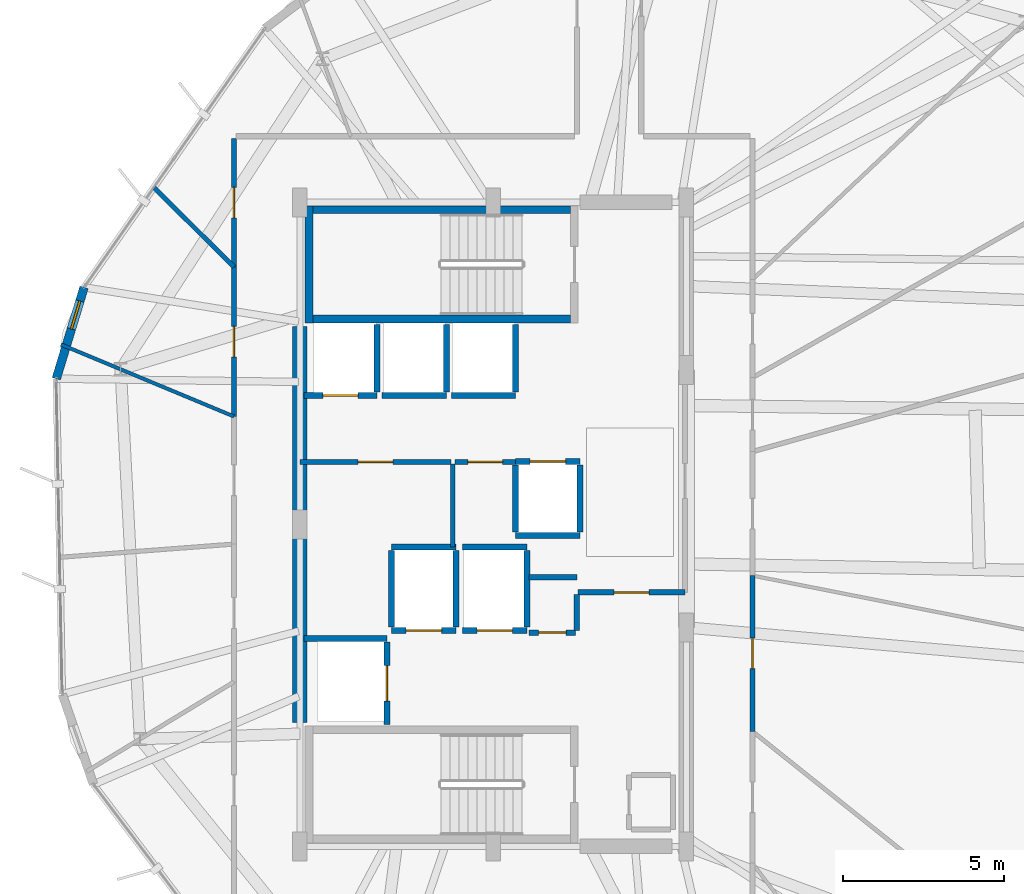
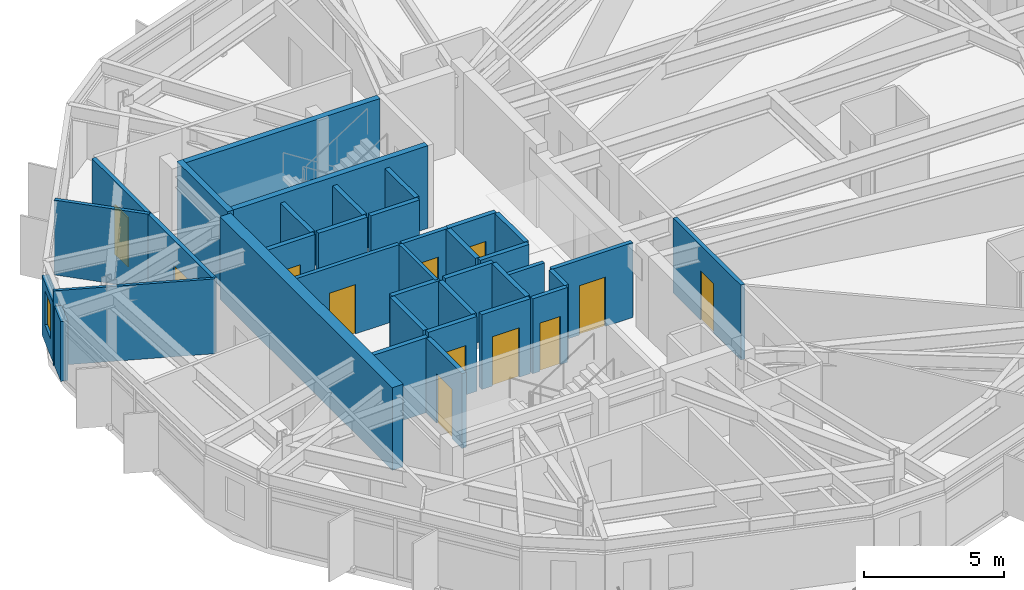
# One storey, part 29 of 34: 36 walls, 12 doors, 1 window, 13 openings.
"""IFC4 building model written with IfcOpenShell, lengths in metres."""

from ifc_helpers import new_model, si_unit, direction, frame, frame_2d, origin, place, context, subcontext, project, spatial, rectangle, extrude, material, layer, layer_set, type_object, element, fill, save


model = new_model("IFC4")

# Units and contexts
model_context = context("Model", 3, precision=1e-05, world=origin(), true_north=direction((0.0, 1.0)))
body_context = subcontext(model_context, "Body", "Model", "MODEL_VIEW")
ifc_project = project(units=[si_unit("LENGTHUNIT", "METRE"), si_unit("AREAUNIT", "SQUARE_METRE"), si_unit("VOLUMEUNIT", "CUBIC_METRE"), si_unit("PLANEANGLEUNIT", "RADIAN"), si_unit("MASSUNIT", "GRAM", prefix="KILO")], contexts=[model_context])

# Site, building, storey
site_placement = place(None, origin())
site = spatial("IfcSite", under=ifc_project, at=site_placement, CompositionType="ELEMENT")
building_placement = place(site_placement, origin())
building = spatial("IfcBuilding", under=site, at=building_placement, Name="Soratama Intermodal Tower", CompositionType="ELEMENT")
storey_placement = place(building_placement, frame((0.0, 0.0, 233.800048828125)))
storey = spatial("IfcBuildingStorey", under=building, at=storey_placement, Name="L59", CompositionType="ELEMENT", Elevation=233.800048828125)

# Wall, opening, window
ifc_material_1 = material(Name="Concrete f'c 42 MPa", Category="concrete")
ifc_layer_1 = layer(ifc_material_1, 0.27001953125)
ifc_layer_set_1 = layer_set([ifc_layer_1], Name="Concrete f'c 42 MPa")
wall_type_1 = type_object("IfcWallType", Name="EW-CRN-270", PredefinedType="SOLIDWALL", material=ifc_layer_set_1)
wall_1_placement = place(storey_placement, frame((25.8974609375, 32.361572265625, 0.0), z_axis=(0.0, 0.0, 1.0), x_axis=(-0.290984782506, -0.956727681396, 0.0)))
wall_1 = element("IfcWall", 1, at=wall_1_placement, inside=storey, type_object=wall_type_1, Name="L59 Corner Closure Wall 03", PredefinedType="SOLIDWALL", context=body_context, shape_type="SweptSolid", body=[
    extrude(rectangle(XDim=2.966796875, YDim=0.27001953125, at=frame_2d((1.4833984375, 0.0))), origin(), (0.0, 0.0, 1.0), 2.598876953125),
])
opening_1_placement = place(wall_1_placement, frame((0.449951171875, 0.0, 0.75)))
opening_1 = element("IfcOpeningElement", 2, at=opening_1_placement, cuts=wall_1, Name="Opening WN-6", PredefinedType="OPENING", context=body_context, shape_type="SweptSolid", body=[
    extrude(rectangle(XDim=0.89990234375, YDim=1.5, at=frame_2d((0.449951171875, 0.75))), frame((0.0, 0.14501953125, 0.0), z_axis=(0.0, -1.0, 0.0), x_axis=(1.0, 0.0, 0.0)), (0.0, 0.0, 1.0), 0.2900390625),
])
ifc_material_2 = material(Name="Double-glazed aluminium window", Category="aluminium")
window_type = type_object("IfcWindowType", Name="WN-FAC-900", PartitioningType="SINGLE_PANEL", PredefinedType="WINDOW", material=ifc_material_2)
window_placement = place(opening_1_placement, origin())
window = element("IfcWindow", 3, at=window_placement, inside=storey, type_object=window_type, Name="L59 Corner Window 03", OverallHeight=1.5, OverallWidth=0.89990234375, PartitioningType="SINGLE_PANEL", PredefinedType="WINDOW", context=body_context, shape_type="SweptSolid", body=[
    extrude(rectangle(XDim=0.89990234375, YDim=1.5, at=frame_2d((0.449951171875, 0.75))), frame((0.0, 0.030029296875, 0.0), z_axis=(0.0, -1.0, 0.0), x_axis=(1.0, 0.0, 0.0)), (0.0, 0.0, 1.0), 0.06005859375),
])
fill(opening_1, window)

# Wall, opening, door
ifc_material_3 = material(Name="Fire-rated gypsum stud partition", Category="concrete")
ifc_layer_2 = layer(ifc_material_3, 0.159912109375)
ifc_layer_set_2 = layer_set([ifc_layer_2], Name="Fire-rated gypsum stud partition")
wall_type_2 = type_object("IfcWallType", Name="IW-PART-R160", PredefinedType="PARTITIONING", material=ifc_layer_set_2)
wall_2_placement = place(storey_placement, frame((46.64990234375, 23.409912109375, 0.0), z_axis=(0.0, 0.0, 1.0), x_axis=(0.0, -1.0, 0.0)))
wall_2 = element("IfcWall", 4, at=wall_2_placement, inside=storey, type_object=wall_type_2, Name="L59 Partition W-L59-TP020", PredefinedType="PARTITIONING", context=body_context, shape_type="SweptSolid", body=[
    extrude(rectangle(XDim=4.8369140625, YDim=0.159912109375, at=frame_2d((2.41845703125, 0.0))), origin(), (0.0, 0.0, 1.0), 3.260009765625),
])
opening_2_placement = place(wall_2_placement, frame((1.943115234375, 0.0, 0.0)))
opening_2 = element("IfcOpeningElement", 5, at=opening_2_placement, cuts=wall_2, Name="Opening ID-3", PredefinedType="OPENING", context=body_context, shape_type="SweptSolid", body=[
    extrude(rectangle(XDim=0.949951171875, YDim=2.14990234375, at=frame_2d((0.47509765625, 1.074951171875))), frame((0.0, 0.08984375, 0.0), z_axis=(0.0, -1.0, 0.0), x_axis=(1.0, 0.0, 0.0)), (0.0, 0.0, 1.0), 0.179931640625),
])
ifc_material_4 = material(Name="Solid hardwood acoustic door", Category="wood")
door_type_1 = type_object("IfcDoorType", Name="DR-ROOM-950", OperationType="NOTDEFINED", PredefinedType="DOOR", material=ifc_material_4)
door_1_placement = place(opening_2_placement, origin())
door_1 = element("IfcDoor", 6, at=door_1_placement, inside=storey, type_object=door_type_1, Name="L59 Door D-L59-TP007", OperationType="SINGLE_SWING_RIGHT", OverallHeight=2.14990234375, OverallWidth=0.949951171875, PredefinedType="DOOR", context=body_context, shape_type="SweptSolid", body=[
    extrude(rectangle(XDim=0.949951171875, YDim=2.14990234375, at=frame_2d((0.47509765625, 1.074951171875))), frame((0.0, 0.02490234375, 0.0), z_axis=(0.0, -1.0, 0.0), x_axis=(1.0, 0.0, 0.0)), (0.0, 0.0, 1.0), 0.050048828125),
])
fill(opening_2, door_1)

wall_3_placement = place(storey_placement, frame((37.2900390625, 26.93994140625, 0.0), z_axis=(0.0, 0.0, 1.0), x_axis=(-1.0, 0.0, 0.0)))
wall_3 = element("IfcWall", 7, at=wall_3_placement, inside=storey, type_object=wall_type_2, Name="L59 Partition W-L59-TP022", PredefinedType="PARTITIONING", context=body_context, shape_type="SweptSolid", body=[
    extrude(rectangle(XDim=4.68994140625, YDim=0.159912109375, at=frame_2d((2.344970703125, 0.0))), origin(), (0.0, 0.0, 1.0), 3.260009765625),
])
opening_3_placement = place(wall_3_placement, frame((1.804931640625, 0.0, 0.0)))
opening_3 = element("IfcOpeningElement", 8, at=opening_3_placement, cuts=wall_3, Name="Opening ID-1", PredefinedType="OPENING", context=body_context, shape_type="SweptSolid", body=[
    extrude(rectangle(XDim=1.080078125, YDim=2.14990234375, at=frame_2d((0.5400390625, 1.074951171875))), frame((0.0, 0.08984375, 0.0), z_axis=(0.0, -1.0, 0.0), x_axis=(1.0, 0.0, 0.0)), (0.0, 0.0, 1.0), 0.179931640625),
])
ifc_material_5 = material(Name="Solid hardwood acoustic door", Category="wood")
door_type_2 = type_object("IfcDoorType", Name="DR-LOB-FD60", OperationType="NOTDEFINED", PredefinedType="DOOR", material=ifc_material_5)
door_2_placement = place(opening_3_placement, origin())
door_2 = element("IfcDoor", 9, at=door_2_placement, inside=storey, type_object=door_type_2, Name="L59 Door D-L59-TP008", OperationType="SINGLE_SWING_LEFT", OverallHeight=2.14990234375, OverallWidth=1.080078125, PredefinedType="DOOR", context=body_context, shape_type="SweptSolid", body=[
    extrude(rectangle(XDim=1.080078125, YDim=2.14990234375, at=frame_2d((0.5400390625, 1.074951171875))), frame((0.0, 0.02490234375, 0.0), z_axis=(0.0, -1.0, 0.0), x_axis=(1.0, 0.0, 0.0)), (0.0, 0.0, 1.0), 0.050048828125),
])
fill(opening_3, door_2)

wall_4_placement = place(storey_placement, frame((30.550048828125, 28.35107421875, 0.0), z_axis=(0.0, 0.0, 1.0), x_axis=(0.0, 1.0, 0.0)))
wall_4 = element("IfcWall", 10, at=wall_4_placement, inside=storey, type_object=wall_type_2, Name="L59 Partition W-L59-TP023", PredefinedType="PARTITIONING", context=body_context, shape_type="SweptSolid", body=[
    extrude(rectangle(XDim=4.64501953125, YDim=0.159912109375, at=frame_2d((2.322509765625, 0.0))), origin(), (0.0, 0.0, 1.0), 3.260009765625),
])
opening_4_placement = place(wall_4_placement, frame((1.847900390625, 0.0, 0.0)))
opening_4 = element("IfcOpeningElement", 11, at=opening_4_placement, cuts=wall_4, Name="Opening ID-3", PredefinedType="OPENING", context=body_context, shape_type="SweptSolid", body=[
    extrude(rectangle(XDim=0.949951171875, YDim=2.14990234375, at=frame_2d((0.47509765625, 1.074951171875))), frame((0.0, 0.08984375, 0.0), z_axis=(0.0, -1.0, 0.0), x_axis=(1.0, 0.0, 0.0)), (0.0, 0.0, 1.0), 0.179931640625),
])
door_3_placement = place(opening_4_placement, origin())
door_3 = element("IfcDoor", 12, at=door_3_placement, inside=storey, type_object=door_type_1, Name="L59 Door D-L59-TP009", OperationType="SINGLE_SWING_RIGHT", OverallHeight=2.14990234375, OverallWidth=0.949951171875, PredefinedType="DOOR", context=body_context, shape_type="SweptSolid", body=[
    extrude(rectangle(XDim=0.949951171875, YDim=2.14990234375, at=frame_2d((0.47509765625, 1.074951171875))), frame((0.0, 0.02490234375, 0.0), z_axis=(0.0, -1.0, 0.0), x_axis=(1.0, 0.0, 0.0)), (0.0, 0.0, 1.0), 0.050048828125),
])
fill(opening_4, door_3)

wall_5_placement = place(storey_placement, frame((30.550048828125, 32.99609375, 0.0), z_axis=(0.0, 0.0, 1.0), x_axis=(0.0, 1.0, 0.0)))
wall_5 = element("IfcWall", 13, at=wall_5_placement, inside=storey, type_object=wall_type_2, Name="L59 Partition W-L59-TP027", PredefinedType="PARTITIONING", context=body_context, shape_type="SweptSolid", body=[
    extrude(rectangle(XDim=3.98388671875, YDim=0.159912109375, at=frame_2d((1.991943359375, 0.0))), origin(), (0.0, 0.0, 1.0), 3.260009765625),
])
opening_5_placement = place(wall_5_placement, frame((1.51708984375, 0.0, 0.0)))
opening_5 = element("IfcOpeningElement", 14, at=opening_5_placement, cuts=wall_5, Name="Opening ID-3", PredefinedType="OPENING", context=body_context, shape_type="SweptSolid", body=[
    extrude(rectangle(XDim=0.949951171875, YDim=2.14990234375, at=frame_2d((0.47509765625, 1.074951171875))), frame((0.0, 0.08984375, 0.0), z_axis=(0.0, -1.0, 0.0), x_axis=(1.0, 0.0, 0.0)), (0.0, 0.0, 1.0), 0.179931640625),
])
door_4_placement = place(opening_5_placement, origin())
door_4 = element("IfcDoor", 15, at=door_4_placement, inside=storey, type_object=door_type_1, Name="L59 Door D-L59-TP012", OperationType="SINGLE_SWING_LEFT", OverallHeight=2.14990234375, OverallWidth=0.949951171875, PredefinedType="DOOR", context=body_context, shape_type="SweptSolid", body=[
    extrude(rectangle(XDim=0.949951171875, YDim=2.14990234375, at=frame_2d((0.47509765625, 1.074951171875))), frame((0.0, 0.02490234375, 0.0), z_axis=(0.0, -1.0, 0.0), x_axis=(1.0, 0.0, 0.0)), (0.0, 0.0, 1.0), 0.050048828125),
])
fill(opening_5, door_4)

wall_6_placement = place(storey_placement, frame((39.300048828125, 26.93994140625, 0.0), z_axis=(0.0, 0.0, 1.0), x_axis=(-1.0, 0.0, 0.0)))
wall_6 = element("IfcWall", 16, at=wall_6_placement, inside=storey, type_object=wall_type_2, Name="L59 Partition W-L59-TP047", PredefinedType="PARTITIONING", context=body_context, shape_type="SweptSolid", body=[
    extrude(rectangle(XDim=1.89013671875, YDim=0.159912109375, at=frame_2d((0.945068359375, 0.0))), origin(), (0.0, 0.0, 1.0), 3.260009765625),
])
opening_6_placement = place(wall_6_placement, frame((0.405029296875, 0.0, 0.0)))
opening_6 = element("IfcOpeningElement", 17, at=opening_6_placement, cuts=wall_6, Name="Opening ID-1", PredefinedType="OPENING", context=body_context, shape_type="SweptSolid", body=[
    extrude(rectangle(XDim=1.080078125, YDim=2.14990234375, at=frame_2d((0.5400390625, 1.074951171875))), frame((0.0, 0.08984375, 0.0), z_axis=(0.0, -1.0, 0.0), x_axis=(1.0, 0.0, 0.0)), (0.0, 0.0, 1.0), 0.179931640625),
])
door_5_placement = place(opening_6_placement, origin())
door_5 = element("IfcDoor", 18, at=door_5_placement, inside=storey, type_object=door_type_2, Name="L59 Door D-L59-TP022", OperationType="SINGLE_SWING_LEFT", OverallHeight=2.14990234375, OverallWidth=1.080078125, PredefinedType="DOOR", context=body_context, shape_type="SweptSolid", body=[
    extrude(rectangle(XDim=1.080078125, YDim=2.14990234375, at=frame_2d((0.5400390625, 1.074951171875))), frame((0.0, 0.02490234375, 0.0), z_axis=(0.0, -1.0, 0.0), x_axis=(1.0, 0.0, 0.0)), (0.0, 0.0, 1.0), 0.050048828125),
])
fill(opening_6, door_5)

# Wall
wall_7_placement = place(storey_placement, frame((41.199951171875, 23.360107421875, 0.0), z_axis=(0.0, 0.0, 1.0), x_axis=(-1.0, 0.0, 0.0)))
element("IfcWall", 19, at=wall_7_placement, inside=storey, type_object=wall_type_2, Name="L59 Partition W-L59-TP054", PredefinedType="PARTITIONING", context=body_context, shape_type="SweptSolid", body=[
    extrude(rectangle(XDim=1.47998046875, YDim=0.159912109375, at=frame_2d((0.739990234375, 0.0))), origin(), (0.0, 0.0, 1.0), 3.260009765625),
])

# Wall, opening, door
ifc_material_6 = material(Name="Fire-rated gypsum stud partition", Category="concrete")
ifc_layer_3 = layer(ifc_material_6, 0.169921875)
ifc_layer_set_3 = layer_set([ifc_layer_3], Name="Fire-rated gypsum stud partition")
wall_type_3 = type_object("IfcWallType", Name="IW-PART-R170", PredefinedType="PARTITIONING", material=ifc_layer_set_3)
wall_8_placement = place(storey_placement, frame((41.239990234375, 22.889892578125, 0.0), z_axis=(0.0, 0.0, 1.0), x_axis=(1.0, 0.0, 0.0)))
wall_8 = element("IfcWall", 20, at=wall_8_placement, inside=storey, type_object=wall_type_3, Name="L59 Partition W-L59-TP033", PredefinedType="PARTITIONING", context=body_context, shape_type="SweptSolid", body=[
    extrude(rectangle(XDim=3.320068359375, YDim=0.169921875, at=frame_2d((1.66015625, 0.0))), origin(), (0.0, 0.0, 1.0), 3.260009765625),
])
opening_7_placement = place(wall_8_placement, frame((1.1201171875, 0.0, 0.0)))
opening_7 = element("IfcOpeningElement", 21, at=opening_7_placement, cuts=wall_8, Name="Opening ID-0", PredefinedType="OPENING", context=body_context, shape_type="SweptSolid", body=[
    extrude(rectangle(XDim=1.080078125, YDim=2.14990234375, at=frame_2d((0.5400390625, 1.074951171875))), frame((0.0, 0.094970703125, 0.0), z_axis=(0.0, -1.0, 0.0), x_axis=(1.0, 0.0, 0.0)), (0.0, 0.0, 1.0), 0.18994140625),
])
ifc_material_7 = material(Name="Solid hardwood acoustic door", Category="wood")
door_type_3 = type_object("IfcDoorType", Name="DR-LOB-FD90", OperationType="NOTDEFINED", PredefinedType="DOOR", material=ifc_material_7)
door_6_placement = place(opening_7_placement, origin())
door_6 = element("IfcDoor", 22, at=door_6_placement, inside=storey, type_object=door_type_3, Name="L59 Door D-L59-TP016", OperationType="SINGLE_SWING_LEFT", OverallHeight=2.14990234375, OverallWidth=1.080078125, PredefinedType="DOOR", context=body_context, shape_type="SweptSolid", body=[
    extrude(rectangle(XDim=1.080078125, YDim=2.14990234375, at=frame_2d((0.5400390625, 1.074951171875))), frame((0.0, 0.02490234375, 0.0), z_axis=(0.0, -1.0, 0.0), x_axis=(1.0, 0.0, 0.0)), (0.0, 0.0, 1.0), 0.050048828125),
])
fill(opening_7, door_6)

wall_9_placement = place(storey_placement, frame((39.719970703125, 21.639892578125, 0.0), z_axis=(0.0, 0.0, 1.0), x_axis=(1.0, 0.0, 0.0)))
wall_9 = element("IfcWall", 23, at=wall_9_placement, inside=storey, type_object=wall_type_3, Name="L59 Partition W-L59-TP050", PredefinedType="PARTITIONING", context=body_context, shape_type="SweptSolid", body=[
    extrude(rectangle(XDim=1.43994140625, YDim=0.169921875, at=frame_2d((0.719970703125, 0.0))), origin(), (0.0, 0.0, 1.0), 3.260009765625),
])
opening_8_placement = place(wall_9_placement, frame((0.294921875, 0.0, 0.0)))
opening_8 = element("IfcOpeningElement", 24, at=opening_8_placement, cuts=wall_9, Name="Opening ID-4", PredefinedType="OPENING", context=body_context, shape_type="SweptSolid", body=[
    extrude(rectangle(XDim=0.85009765625, YDim=2.10009765625, at=frame_2d((0.425048828125, 1.050048828125))), frame((0.0, 0.094970703125, 0.0), z_axis=(0.0, -1.0, 0.0), x_axis=(1.0, 0.0, 0.0)), (0.0, 0.0, 1.0), 0.18994140625),
])
ifc_material_8 = material(Name="Solid hardwood acoustic door", Category="wood")
door_type_4 = type_object("IfcDoorType", Name="DR-BATH-850", OperationType="NOTDEFINED", PredefinedType="DOOR", material=ifc_material_8)
door_7_placement = place(opening_8_placement, origin())
door_7 = element("IfcDoor", 25, at=door_7_placement, inside=storey, type_object=door_type_4, Name="L59 Door D-L59-TP023", OperationType="SINGLE_SWING_RIGHT", OverallHeight=2.10009765625, OverallWidth=0.85009765625, PredefinedType="DOOR", context=body_context, shape_type="SweptSolid", body=[
    extrude(rectangle(XDim=0.85009765625, YDim=2.10009765625, at=frame_2d((0.425048828125, 1.050048828125))), frame((0.0, 0.02490234375, 0.0), z_axis=(0.0, -1.0, 0.0), x_axis=(1.0, 0.0, 0.0)), (0.0, 0.0, 1.0), 0.050048828125),
])
fill(opening_8, door_7)

# Walls
wall_10_placement = place(storey_placement, frame((41.199951171875, 21.699951171875, 0.0), z_axis=(0.0, 0.0, 1.0), x_axis=(0.0, 1.0, 0.0)))
element("IfcWall", 26, at=wall_10_placement, inside=storey, type_object=wall_type_3, Name="L59 Partition W-L59-TP052", PredefinedType="PARTITIONING", context=body_context, shape_type="SweptSolid", body=[
    extrude(rectangle(XDim=1.1201171875, YDim=0.169921875, at=frame_2d((0.56005859375, 0.0))), origin(), (0.0, 0.0, 1.0), 3.260009765625),
])
ifc_material_9 = material(Name="Fire-rated gypsum stud partition", Category="concrete")
ifc_layer_4 = layer(ifc_material_9, 0.110107421875)
ifc_layer_set_4 = layer_set([ifc_layer_4], Name="Fire-rated gypsum stud partition")
wall_type_4 = type_object("IfcWallType", Name="IW-PART-S110", PredefinedType="PARTITIONING", material=ifc_layer_set_4)
wall_11_placement = place(storey_placement, frame((30.550048828125, 28.35107421875, 0.0), z_axis=(0.0, 0.0, 1.0), x_axis=(-0.923250747002, 0.38419794138, 0.0)))
element("IfcWall", 27, at=wall_11_placement, inside=storey, type_object=wall_type_4, Name="L59 Partition W-L59-TP015", PredefinedType="PARTITIONING", context=body_context, shape_type="SweptSolid", body=[
    extrude(rectangle(XDim=5.814453125, YDim=0.110107421875, at=frame_2d((2.9072265625, 0.0))), origin(), (0.0, 0.0, 1.0), 3.260009765625),
])
ifc_material_10 = material(Name="Fire-rated gypsum stud partition", Category="concrete")
ifc_layer_5 = layer(ifc_material_10, 0.139892578125)
ifc_layer_set_5 = layer_set([ifc_layer_5], Name="Fire-rated gypsum stud partition")
wall_type_5 = type_object("IfcWallType", Name="IW-PART-S140", PredefinedType="PARTITIONING", material=ifc_layer_set_5)
wall_12_placement = place(storey_placement, frame((30.550048828125, 32.99609375, 0.0), z_axis=(0.0, 0.0, 1.0), x_axis=(-0.709819036823, 0.704384081992, 0.0)))
element("IfcWall", 28, at=wall_12_placement, inside=storey, type_object=wall_type_5, Name="L59 Partition W-L59-TP032", PredefinedType="PARTITIONING", context=body_context, shape_type="SweptSolid", body=[
    extrude(rectangle(XDim=3.50390625, YDim=0.139892578125, at=frame_2d((1.751953125, 0.0))), origin(), (0.0, 0.0, 1.0), 3.260009765625),
])
wall_13_placement = place(storey_placement, frame((37.35009765625, 26.8798828125, 0.0), z_axis=(0.0, 0.0, 1.0), x_axis=(0.0, -1.0, 0.0)))
element("IfcWall", 29, at=wall_13_placement, inside=storey, type_object=wall_type_5, Name="L59 Partition W-L59-TP037", PredefinedType="PARTITIONING", context=body_context, shape_type="SweptSolid", body=[
    extrude(rectangle(XDim=2.579833984375, YDim=0.139892578125, at=frame_2d((1.2900390625, 0.0))), origin(), (0.0, 0.0, 1.0), 3.260009765625),
])

# Wall, opening, door
ifc_material_11 = material(Name="Concrete f'c 42 MPa", Category="concrete")
ifc_layer_6 = layer(ifc_material_11, 0.18505859375)
ifc_layer_set_6 = layer_set([ifc_layer_6], Name="Concrete f'c 42 MPa")
wall_type_6 = type_object("IfcWallType", Name="IW-SHAFT-185", PredefinedType="SOLIDWALL", material=ifc_layer_set_6)
wall_14_placement = place(storey_placement, frame((35.449951171875, 21.699951171875, 0.0), z_axis=(0.0, 0.0, 1.0), x_axis=(1.0, 0.0, 0.0)))
wall_14 = element("IfcWall", 30, at=wall_14_placement, inside=storey, type_object=wall_type_6, Name="L59 FFL-1 Hoistway Wall S", PredefinedType="SOLIDWALL", context=body_context, shape_type="SweptSolid", body=[
    extrude(rectangle(XDim=2.0, YDim=0.18505859375, at=frame_2d((1.0, 0.0))), origin(), (0.0, 0.0, 1.0), 3.260009765625),
])
opening_9_placement = place(wall_14_placement, frame((0.449951171875, 0.0, 0.0)))
opening_9 = element("IfcOpeningElement", 31, at=opening_9_placement, cuts=wall_14, Name="Opening LD-1", PredefinedType="OPENING", context=body_context, shape_type="SweptSolid", body=[
    extrude(rectangle(XDim=1.10009765625, YDim=2.14990234375, at=frame_2d((0.550048828125, 1.074951171875))), frame((0.0, 0.1025390625, 0.0), z_axis=(0.0, -1.0, 0.0), x_axis=(1.0, 0.0, 0.0)), (0.0, 0.0, 1.0), 0.205078125),
])
ifc_material_12 = material(Name="Steel fire door", Category="steel")
door_type_5 = type_object("IfcDoorType", Name="DR-LIFT-SLIDE", OperationType="NOTDEFINED", PredefinedType="DOOR", material=ifc_material_12)
door_8_placement = place(opening_9_placement, origin())
door_8 = element("IfcDoor", 32, at=door_8_placement, inside=storey, type_object=door_type_5, Name="L59 FFL-1 Sliding Landing Door", OperationType="SLIDING_TO_LEFT", OverallHeight=2.14990234375, OverallWidth=1.10009765625, PredefinedType="DOOR", context=body_context, shape_type="SweptSolid", body=[
    extrude(rectangle(XDim=1.10009765625, YDim=2.14990234375, at=frame_2d((0.550048828125, 1.074951171875))), frame((0.0, 0.02490234375, 0.0), z_axis=(0.0, -1.0, 0.0), x_axis=(1.0, 0.0, 0.0)), (0.0, 0.0, 1.0), 0.050048828125),
])
fill(opening_9, door_8)

# Walls
wall_15_placement = place(storey_placement, frame((35.449951171875, 24.300048828125, 0.0), z_axis=(0.0, 0.0, 1.0), x_axis=(1.0, 0.0, 0.0)))
element("IfcWall", 33, at=wall_15_placement, inside=storey, type_object=wall_type_6, Name="L59 FFL-1 Hoistway Wall N", PredefinedType="SOLIDWALL", context=body_context, shape_type="SweptSolid", body=[
    extrude(rectangle(XDim=2.0, YDim=0.18505859375, at=frame_2d((1.0, 0.0))), origin(), (0.0, 0.0, 1.0), 3.260009765625),
])
for number, where, z_axis, x_axis, name in (
    (34, (35.449951171875, 21.81005859375, 0.0), (0.0, 0.0, 1.0), (0.0, 1.0, 0.0), "L59 FFL-1 Hoistway Wall W"),
    (35, (37.449951171875, 21.81005859375, 0.0), (0.0, 0.0, 1.0), (0.0, 1.0, 0.0), "L59 FFL-1 Hoistway Wall E"),
):
    element("IfcWall", number, at=place(storey_placement, frame(where, z_axis=z_axis, x_axis=x_axis)), inside=storey, type_object=wall_type_6, Name=name, PredefinedType="SOLIDWALL", context=body_context, shape_type="SweptSolid", body=[
        extrude(rectangle(XDim=2.3798828125, YDim=0.18505859375, at=frame_2d((1.18994140625, 0.0))), origin(), (0.0, 0.0, 1.0), 3.260009765625),
    ])

# Wall, opening, door
wall_16_placement = place(storey_placement, frame((37.64990234375, 21.699951171875, 0.0), z_axis=(0.0, 0.0, 1.0), x_axis=(1.0, 0.0, 0.0)))
wall_16 = element("IfcWall", 36, at=wall_16_placement, inside=storey, type_object=wall_type_6, Name="L59 FFL-2 Hoistway Wall S", PredefinedType="SOLIDWALL", context=body_context, shape_type="SweptSolid", body=[
    extrude(rectangle(XDim=2.0, YDim=0.18505859375, at=frame_2d((1.0, 0.0))), origin(), (0.0, 0.0, 1.0), 3.260009765625),
])
opening_10_placement = place(wall_16_placement, frame((0.449951171875, 0.0, 0.0)))
opening_10 = element("IfcOpeningElement", 37, at=opening_10_placement, cuts=wall_16, Name="Opening LD-1", PredefinedType="OPENING", context=body_context, shape_type="SweptSolid", body=[
    extrude(rectangle(XDim=1.10009765625, YDim=2.14990234375, at=frame_2d((0.550048828125, 1.074951171875))), frame((0.0, 0.1025390625, 0.0), z_axis=(0.0, -1.0, 0.0), x_axis=(1.0, 0.0, 0.0)), (0.0, 0.0, 1.0), 0.205078125),
])
door_9_placement = place(opening_10_placement, origin())
door_9 = element("IfcDoor", 38, at=door_9_placement, inside=storey, type_object=door_type_5, Name="L59 FFL-2 Sliding Landing Door", OperationType="SLIDING_TO_LEFT", OverallHeight=2.14990234375, OverallWidth=1.10009765625, PredefinedType="DOOR", context=body_context, shape_type="SweptSolid", body=[
    extrude(rectangle(XDim=1.10009765625, YDim=2.14990234375, at=frame_2d((0.550048828125, 1.074951171875))), frame((0.0, 0.02490234375, 0.0), z_axis=(0.0, -1.0, 0.0), x_axis=(1.0, 0.0, 0.0)), (0.0, 0.0, 1.0), 0.050048828125),
])
fill(opening_10, door_9)

# Walls
wall_17_placement = place(storey_placement, frame((37.64990234375, 24.300048828125, 0.0), z_axis=(0.0, 0.0, 1.0), x_axis=(1.0, 0.0, 0.0)))
element("IfcWall", 39, at=wall_17_placement, inside=storey, type_object=wall_type_6, Name="L59 FFL-2 Hoistway Wall N", PredefinedType="SOLIDWALL", context=body_context, shape_type="SweptSolid", body=[
    extrude(rectangle(XDim=2.0, YDim=0.18505859375, at=frame_2d((1.0, 0.0))), origin(), (0.0, 0.0, 1.0), 3.260009765625),
])
wall_18_placement = place(storey_placement, frame((39.64990234375, 21.81005859375, 0.0), z_axis=(0.0, 0.0, 1.0), x_axis=(0.0, 1.0, 0.0)))
element("IfcWall", 40, at=wall_18_placement, inside=storey, type_object=wall_type_6, Name="L59 FFL-2 Hoistway Wall E", PredefinedType="SOLIDWALL", context=body_context, shape_type="SweptSolid", body=[
    extrude(rectangle(XDim=2.3798828125, YDim=0.18505859375, at=frame_2d((1.18994140625, 0.0))), origin(), (0.0, 0.0, 1.0), 3.260009765625),
])
wall_19_placement = place(storey_placement, frame((32.719970703125, 21.449951171875, 0.0), z_axis=(0.0, 0.0, 1.0), x_axis=(1.0, 0.0, 0.0)))
element("IfcWall", 41, at=wall_19_placement, inside=storey, type_object=wall_type_6, Name="L59 SVL-1 Hoistway Wall N", PredefinedType="SOLIDWALL", context=body_context, shape_type="SweptSolid", body=[
    extrude(rectangle(XDim=2.580078125, YDim=0.18505859375, at=frame_2d((1.2900390625, 0.0))), origin(), (0.0, 0.0, 1.0), 3.260009765625),
])

# Wall, opening, door
wall_20_placement = place(storey_placement, frame((35.300048828125, 18.7900390625, 0.0), z_axis=(0.0, 0.0, 1.0), x_axis=(0.0, 1.0, 0.0)))
wall_20 = element("IfcWall", 42, at=wall_20_placement, inside=storey, type_object=wall_type_6, Name="L59 SVL-1 Hoistway Wall E", PredefinedType="SOLIDWALL", context=body_context, shape_type="SweptSolid", body=[
    extrude(rectangle(XDim=2.550048828125, YDim=0.18505859375, at=frame_2d((1.27490234375, 0.0))), origin(), (0.0, 0.0, 1.0), 3.260009765625),
])
opening_11_placement = place(wall_20_placement, frame((0.72509765625, 0.0, 0.0)))
opening_11 = element("IfcOpeningElement", 43, at=opening_11_placement, cuts=wall_20, Name="Opening LD-1", PredefinedType="OPENING", context=body_context, shape_type="SweptSolid", body=[
    extrude(rectangle(XDim=1.10009765625, YDim=2.14990234375, at=frame_2d((0.550048828125, 1.074951171875))), frame((0.0, 0.1025390625, 0.0), z_axis=(0.0, -1.0, 0.0), x_axis=(1.0, 0.0, 0.0)), (0.0, 0.0, 1.0), 0.205078125),
])
door_10_placement = place(opening_11_placement, origin())
door_10 = element("IfcDoor", 44, at=door_10_placement, inside=storey, type_object=door_type_5, Name="L59 SVL-1 Sliding Landing Door", OperationType="SLIDING_TO_LEFT", OverallHeight=2.14990234375, OverallWidth=1.10009765625, PredefinedType="DOOR", context=body_context, shape_type="SweptSolid", body=[
    extrude(rectangle(XDim=1.10009765625, YDim=2.14990234375, at=frame_2d((0.550048828125, 1.074951171875))), frame((0.0, 0.02490234375, 0.0), z_axis=(0.0, -1.0, 0.0), x_axis=(1.0, 0.0, 0.0)), (0.0, 0.0, 1.0), 0.050048828125),
])
fill(opening_11, door_10)

# Wall
wall_21_placement = place(storey_placement, frame((39.300048828125, 24.64990234375, 0.0), z_axis=(0.0, 0.0, 1.0), x_axis=(1.0, 0.0, 0.0)))
element("IfcWall", 45, at=wall_21_placement, inside=storey, type_object=wall_type_6, Name="L59 PL-M1 Hoistway Wall S", PredefinedType="SOLIDWALL", context=body_context, shape_type="SweptSolid", body=[
    extrude(rectangle(XDim=2.0, YDim=0.18505859375, at=frame_2d((1.0, 0.0))), origin(), (0.0, 0.0, 1.0), 3.260009765625),
])

# Wall, opening, door
wall_22_placement = place(storey_placement, frame((39.300048828125, 26.949951171875, 0.0), z_axis=(0.0, 0.0, 1.0), x_axis=(1.0, 0.0, 0.0)))
wall_22 = element("IfcWall", 46, at=wall_22_placement, inside=storey, type_object=wall_type_6, Name="L59 PL-M1 Hoistway Wall N", PredefinedType="SOLIDWALL", context=body_context, shape_type="SweptSolid", body=[
    extrude(rectangle(XDim=2.0, YDim=0.18505859375, at=frame_2d((1.0, 0.0))), origin(), (0.0, 0.0, 1.0), 3.260009765625),
])
opening_12_placement = place(wall_22_placement, frame((0.449951171875, 0.0, 0.0)))
opening_12 = element("IfcOpeningElement", 47, at=opening_12_placement, cuts=wall_22, Name="Opening LD-1", PredefinedType="OPENING", context=body_context, shape_type="SweptSolid", body=[
    extrude(rectangle(XDim=1.10009765625, YDim=2.14990234375, at=frame_2d((0.550048828125, 1.074951171875))), frame((0.0, 0.1025390625, 0.0), z_axis=(0.0, -1.0, 0.0), x_axis=(1.0, 0.0, 0.0)), (0.0, 0.0, 1.0), 0.205078125),
])
door_11_placement = place(opening_12_placement, origin())
door_11 = element("IfcDoor", 48, at=door_11_placement, inside=storey, type_object=door_type_5, Name="L59 PL-M1 Sliding Landing Door", OperationType="SLIDING_TO_LEFT", OverallHeight=2.14990234375, OverallWidth=1.10009765625, PredefinedType="DOOR", context=body_context, shape_type="SweptSolid", body=[
    extrude(rectangle(XDim=1.10009765625, YDim=2.14990234375, at=frame_2d((0.550048828125, 1.074951171875))), frame((0.0, 0.02490234375, 0.0), z_axis=(0.0, -1.0, 0.0), x_axis=(1.0, 0.0, 0.0)), (0.0, 0.0, 1.0), 0.050048828125),
])
fill(opening_12, door_11)

# Walls
for number, where, z_axis, x_axis, name in (
    (49, (39.300048828125, 24.760009765625, 0.0), (0.0, 0.0, 1.0), (0.0, 1.0, 0.0), "L59 PL-M1 Hoistway Wall W"),
    (50, (41.300048828125, 24.760009765625, 0.0), (0.0, 0.0, 1.0), (0.0, 1.0, 0.0), "L59 PL-M1 Hoistway Wall E"),
):
    element("IfcWall", number, at=place(storey_placement, frame(where, z_axis=z_axis, x_axis=x_axis)), inside=storey, type_object=wall_type_6, Name=name, PredefinedType="SOLIDWALL", context=body_context, shape_type="SweptSolid", body=[
        extrude(rectangle(XDim=2.080078125, YDim=0.18505859375, at=frame_2d((1.0400390625, 0.0))), origin(), (0.0, 0.0, 1.0), 3.260009765625),
    ])

# Wall, opening, door
wall_23_placement = place(storey_placement, frame((32.719970703125, 29.0, 0.0), z_axis=(0.0, 0.0, 1.0), x_axis=(1.0, 0.0, 0.0)))
wall_23 = element("IfcWall", 51, at=wall_23_placement, inside=storey, type_object=wall_type_6, Name="L59 PL-M2 Hoistway Wall S", PredefinedType="SOLIDWALL", context=body_context, shape_type="SweptSolid", body=[
    extrude(rectangle(XDim=2.280029296875, YDim=0.18505859375, at=frame_2d((1.14013671875, 0.0))), origin(), (0.0, 0.0, 1.0), 3.260009765625),
])
opening_13_placement = place(wall_23_placement, frame((0.590087890625, 0.0, 0.0)))
opening_13 = element("IfcOpeningElement", 52, at=opening_13_placement, cuts=wall_23, Name="Opening LD-1", PredefinedType="OPENING", context=body_context, shape_type="SweptSolid", body=[
    extrude(rectangle(XDim=1.10009765625, YDim=2.14990234375, at=frame_2d((0.550048828125, 1.074951171875))), frame((0.0, 0.1025390625, 0.0), z_axis=(0.0, -1.0, 0.0), x_axis=(1.0, 0.0, 0.0)), (0.0, 0.0, 1.0), 0.205078125),
])
door_12_placement = place(opening_13_placement, origin())
door_12 = element("IfcDoor", 53, at=door_12_placement, inside=storey, type_object=door_type_5, Name="L59 PL-M2 Sliding Landing Door", OperationType="SLIDING_TO_LEFT", OverallHeight=2.14990234375, OverallWidth=1.10009765625, PredefinedType="DOOR", context=body_context, shape_type="SweptSolid", body=[
    extrude(rectangle(XDim=1.10009765625, YDim=2.14990234375, at=frame_2d((0.550048828125, 1.074951171875))), frame((0.0, 0.02490234375, 0.0), z_axis=(0.0, -1.0, 0.0), x_axis=(1.0, 0.0, 0.0)), (0.0, 0.0, 1.0), 0.050048828125),
])
fill(opening_13, door_12)

# Walls
wall_24_placement = place(storey_placement, frame((35.0, 29.110107421875, 0.0), z_axis=(0.0, 0.0, 1.0), x_axis=(0.0, 1.0, 0.0)))
element("IfcWall", 54, at=wall_24_placement, inside=storey, type_object=wall_type_6, Name="L59 PL-M2 Hoistway Wall E", PredefinedType="SOLIDWALL", context=body_context, shape_type="SweptSolid", body=[
    extrude(rectangle(XDim=2.099853515625, YDim=0.18505859375, at=frame_2d((1.0498046875, 0.0))), origin(), (0.0, 0.0, 1.0), 3.260009765625),
])
wall_25_placement = place(storey_placement, frame((35.14990234375, 29.0, 0.0), z_axis=(0.0, 0.0, 1.0), x_axis=(1.0, 0.0, 0.0)))
element("IfcWall", 55, at=wall_25_placement, inside=storey, type_object=wall_type_6, Name="L59 PL-H1 Hoistway Wall S", PredefinedType="SOLIDWALL", context=body_context, shape_type="SweptSolid", body=[
    extrude(rectangle(XDim=2.0, YDim=0.18505859375, at=frame_2d((1.0, 0.0))), origin(), (0.0, 0.0, 1.0), 3.260009765625),
])
wall_26_placement = place(storey_placement, frame((37.14990234375, 29.110107421875, 0.0), z_axis=(0.0, 0.0, 1.0), x_axis=(0.0, 1.0, 0.0)))
element("IfcWall", 56, at=wall_26_placement, inside=storey, type_object=wall_type_6, Name="L59 PL-H1 Hoistway Wall E", PredefinedType="SOLIDWALL", context=body_context, shape_type="SweptSolid", body=[
    extrude(rectangle(XDim=2.099853515625, YDim=0.18505859375, at=frame_2d((1.0498046875, 0.0))), origin(), (0.0, 0.0, 1.0), 3.260009765625),
])
wall_27_placement = place(storey_placement, frame((37.300048828125, 29.0, 0.0), z_axis=(0.0, 0.0, 1.0), x_axis=(1.0, 0.0, 0.0)))
element("IfcWall", 57, at=wall_27_placement, inside=storey, type_object=wall_type_6, Name="L59 PL-H2 Hoistway Wall S", PredefinedType="SOLIDWALL", context=body_context, shape_type="SweptSolid", body=[
    extrude(rectangle(XDim=2.0, YDim=0.18505859375, at=frame_2d((1.0, 0.0))), origin(), (0.0, 0.0, 1.0), 3.260009765625),
])
wall_28_placement = place(storey_placement, frame((39.300048828125, 29.110107421875, 0.0), z_axis=(0.0, 0.0, 1.0), x_axis=(0.0, 1.0, 0.0)))
element("IfcWall", 58, at=wall_28_placement, inside=storey, type_object=wall_type_6, Name="L59 PL-H2 Hoistway Wall E", PredefinedType="SOLIDWALL", context=body_context, shape_type="SweptSolid", body=[
    extrude(rectangle(XDim=2.099853515625, YDim=0.18505859375, at=frame_2d((1.0498046875, 0.0))), origin(), (0.0, 0.0, 1.0), 3.260009765625),
])
ifc_material_13 = material(Name="Concrete f'c 56 MPa", Category="concrete")
ifc_layer_7 = layer(ifc_material_13, 0.449951171875)
ifc_layer_set_7 = layer_set([ifc_layer_7], Name="Concrete f'c 56 MPa")
wall_type_7 = type_object("IfcWallType", Name="SW-CORE-450", PredefinedType="SHEAR", material=ifc_layer_set_7)
wall_29_placement = place(storey_placement, frame((32.60009765625, 18.85009765625, 0.0), z_axis=(0.0, 0.0, 1.0), x_axis=(0.0, 1.0, 0.0)))
element("IfcWall", 59, at=wall_29_placement, inside=storey, type_object=wall_type_7, Name="L59 Core Shear Wall CW-WMID", PredefinedType="SHEAR", context=body_context, shape_type="SweptSolid", body=[
    extrude(rectangle(XDim=12.2998046875, YDim=0.449951171875, at=frame_2d((6.14990234375, 0.0))), origin(), (0.0, 0.0, 1.0), 3.599853515625),
])
ifc_material_14 = material(Name="Concrete f'c 56 MPa", Category="concrete")
ifc_layer_8 = layer(ifc_material_14, 0.239990234375)
ifc_layer_set_8 = layer_set([ifc_layer_8], Name="Concrete f'c 56 MPa")
wall_type_8 = type_object("IfcWallType", Name="SW-STAIR-240", PredefinedType="SHEAR", material=ifc_layer_set_8)
wall_30_placement = place(storey_placement, frame((32.8798828125, 31.260009765625, 0.0), z_axis=(0.0, 0.0, 1.0), x_axis=(0.0, 1.0, 0.0)))
element("IfcWall", 60, at=wall_30_placement, inside=storey, type_object=wall_type_8, Name="L59 ST-2 Shaft Shear Wall W", PredefinedType="SHEAR", context=body_context, shape_type="SweptSolid", body=[
    extrude(rectangle(XDim=3.6298828125, YDim=0.239990234375, at=frame_2d((1.81494140625, 0.0))), origin(), (0.0, 0.0, 1.0), 3.599853515625),
])
for number, where, z_axis, x_axis, name in (
    (61, (33.0, 31.3798828125, 0.0), (0.0, 0.0, 1.0), (1.0, 0.0, 0.0), "L59 ST-2 Shaft Shear Wall S"),
    (62, (33.0, 34.77001953125, 0.0), (0.0, 0.0, 1.0), (1.0, 0.0, 0.0), "L59 ST-2 Shaft Shear Wall N"),
):
    element("IfcWall", number, at=place(storey_placement, frame(where, z_axis=z_axis, x_axis=x_axis)), inside=storey, type_object=wall_type_8, Name=name, PredefinedType="SHEAR", context=body_context, shape_type="SweptSolid", body=[
        extrude(rectangle(XDim=8.0, YDim=0.239990234375, at=frame_2d((4.0, 0.0))), origin(), (0.0, 0.0, 1.0), 3.599853515625),
    ])

save(model, "model.ifc")
